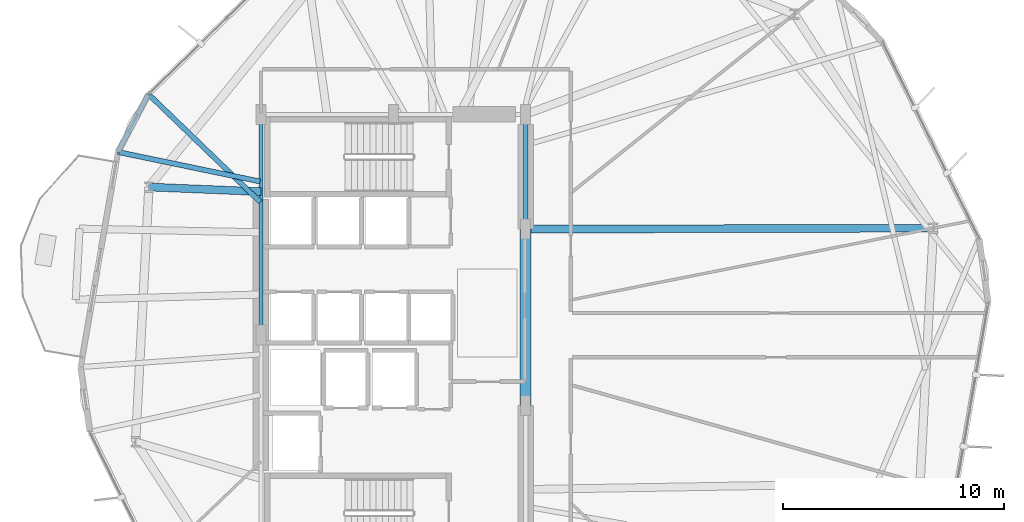
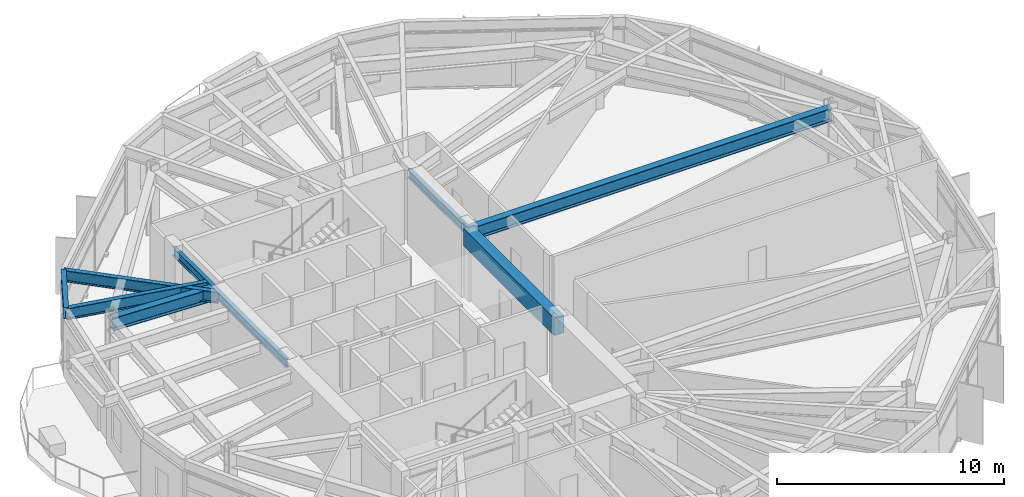
# One storey, part 7 of 22: 8 beams.
"""IFC4 building model written with IfcOpenShell, lengths in metres."""

from ifc_helpers import new_model, si_unit, direction, frame, origin, origin_2d, place, context, subcontext, project, spatial, rectangle, i_section, extrude, material, material_profile, profile_set, type_object, element, save


model = new_model("IFC4")

# Units and contexts
model_context = context("Model", 3, precision=1e-05, world=origin(), true_north=direction((0.0, 1.0)))
body_context = subcontext(model_context, "Body", "Model", "MODEL_VIEW")
ifc_project = project(units=[si_unit("LENGTHUNIT", "METRE"), si_unit("AREAUNIT", "SQUARE_METRE"), si_unit("VOLUMEUNIT", "CUBIC_METRE"), si_unit("PLANEANGLEUNIT", "RADIAN"), si_unit("MASSUNIT", "GRAM", prefix="KILO")], contexts=[model_context])

# Site, building, storey
site_placement = place(None, origin())
site = spatial("IfcSite", under=ifc_project, at=site_placement, CompositionType="ELEMENT")
building_placement = place(site_placement, origin())
building = spatial("IfcBuilding", under=site, at=building_placement, Name="Soratama Intermodal Tower", CompositionType="ELEMENT")
storey_placement = place(building_placement, frame((0.0, 0.0, 58.60009765625)))
storey = spatial("IfcBuildingStorey", under=building, at=storey_placement, Name="L13", CompositionType="ELEMENT", Elevation=58.60009765625)

# Beams
ifc_material_1 = material(Name="Concrete f'c 56 MPa", Category="concrete")
ifc_material_profile_1 = material_profile(ifc_material_1, rectangle(XDim=0.5, YDim=0.949951171875, at=origin_2d()), Name="RC500X950")
ifc_profile_set_1 = profile_set([ifc_material_profile_1], Name="Concrete f'c 56 MPa")
beam_type_1 = type_object("IfcBeamType", Name="BM-CPL-RC500X950", PredefinedType="BEAM", material=ifc_profile_set_1)
beam_1_placement = place(storey_placement, frame((44.60009765625, 21.800048828125, 3.224853515625), z_axis=(0.0, 1.0, 0.0), x_axis=(-1.0, 0.0, 0.0)))
element("IfcBeam", 1, at=beam_1_placement, inside=storey, type_object=beam_type_1, Name="L13 Core Coupling Beam East", PredefinedType="BEAM", context=body_context, shape_type="SweptSolid", body=[
    extrude(rectangle(XDim=0.5, YDim=0.949951171875, at=origin_2d()), origin(), (0.0, 0.0, 1.0), 8.0),
])
ifc_material_2 = material(Name="Structural steel ASTM A992 Grade 50", Category="steel")
ifc_material_profile_2 = material_profile(ifc_material_2, i_section(OverallWidth=0.19091796875, OverallDepth=0.4599609375, WebThickness=0.010009765625, FlangeThickness=0.01611328125, FilletRadius=0.010986328125, at=origin_2d()), Name="W18X55")
ifc_profile_set_2 = profile_set([ifc_material_profile_2], Name="Structural steel ASTM A992 Grade 50")
beam_type_2 = type_object("IfcBeamType", Name="BM-FLR-W18X55", PredefinedType="BEAM", material=ifc_profile_set_2)
beam_2_placement = place(storey_placement, frame((44.60009765625, 29.800048828125, 3.469970703125), z_axis=(0.0, 1.0, 0.0), x_axis=(-1.0, 0.0, 0.0)))
element("IfcBeam", 2, at=beam_2_placement, inside=storey, type_object=beam_type_2, Name="BM-L13-CRING-05", PredefinedType="BEAM", context=body_context, shape_type="SweptSolid", body=[
    extrude(i_section(OverallWidth=0.19091796875, OverallDepth=0.4599609375, WebThickness=0.010009765625, FlangeThickness=0.01611328125, FilletRadius=0.010986328125, at=origin_2d()), origin(), (0.0, 0.0, 1.0), 5.199951171875),
])
beam_3_placement = place(storey_placement, frame((32.60009765625, 35.0, 3.469970703125), z_axis=(0.0, -1.0, 0.0), x_axis=(1.0, 0.0, 0.0)))
element("IfcBeam", 3, at=beam_3_placement, inside=storey, type_object=beam_type_2, Name="BM-L13-CRING-08", PredefinedType="BEAM", context=body_context, shape_type="SweptSolid", body=[
    extrude(i_section(OverallWidth=0.19091796875, OverallDepth=0.4599609375, WebThickness=0.010009765625, FlangeThickness=0.01611328125, FilletRadius=0.010986328125, at=origin_2d()), origin(), (0.0, 0.0, 1.0), 10.0),
])
ifc_material_3 = material(Name="Structural steel ASTM A992 Grade 50", Category="steel")
ifc_material_profile_3 = material_profile(ifc_material_3, i_section(OverallWidth=0.35498046875, OverallDepth=0.695068359375, WebThickness=0.015380859375, FlangeThickness=0.02490234375, FilletRadius=0.01611328125, at=origin_2d()), Name="W27X146")
ifc_profile_set_3 = profile_set([ifc_material_profile_3], Name="Structural steel ASTM A992 Grade 50")
beam_type_3 = type_object("IfcBeamType", Name="BM-RING-W27X146", PredefinedType="BEAM", material=ifc_profile_set_3)
beam_4_placement = place(storey_placement, frame((44.60009765625, 29.800048828125, 3.352294921875), z_axis=(0.999997046146, 0.002430575896, 0.0), x_axis=(-0.002430575896, 0.999997046146, 0.0)))
element("IfcBeam", 4, at=beam_4_placement, inside=storey, type_object=beam_type_3, Name="BM-L13-RAD-01", PredefinedType="BEAM", context=body_context, shape_type="SweptSolid", body=[
    extrude(i_section(OverallWidth=0.35498046875, OverallDepth=0.695068359375, WebThickness=0.015380859375, FlangeThickness=0.02490234375, FilletRadius=0.01611328125, at=origin_2d()), origin(), (0.0, 0.0, 1.0), 18.48193359375),
])
beam_5_placement = place(storey_placement, frame((32.60009765625, 31.5, 3.352294921875), z_axis=(-0.999153929645, 0.041126936131, 0.0), x_axis=(-0.041126936131, -0.999153929645, 0.0)))
element("IfcBeam", 5, at=beam_5_placement, inside=storey, type_object=beam_type_3, Name="BM-L13-RAD-05", PredefinedType="BEAM", context=body_context, shape_type="SweptSolid", body=[
    extrude(i_section(OverallWidth=0.35498046875, OverallDepth=0.695068359375, WebThickness=0.015380859375, FlangeThickness=0.02490234375, FilletRadius=0.01611328125, at=origin_2d()), origin(), (0.0, 0.0, 1.0), 5.08154296875),
])
ifc_material_4 = material(Name="Structural steel ASTM A992 Grade 50", Category="steel")
ifc_material_profile_4 = material_profile(ifc_material_4, i_section(OverallWidth=0.22900390625, OverallDepth=0.612060546875, WebThickness=0.011962890625, FlangeThickness=0.01953125, FilletRadius=0.012939453125, at=origin_2d()), Name="W24X84")
ifc_profile_set_4 = profile_set([ifc_material_profile_4], Name="Structural steel ASTM A992 Grade 50")
beam_type_4 = type_object("IfcBeamType", Name="BM-SPN-W24X84", PredefinedType="SPANDREL", material=ifc_profile_set_4)
beam_6_placement = place(storey_placement, frame((27.5, 35.919921875, 3.393798828125), z_axis=(-0.467214507924, -0.884143994825, 0.0), x_axis=(0.884143994825, -0.467214507924, 0.0)))
element("IfcBeam", 6, at=beam_6_placement, inside=storey, type_object=beam_type_4, Name="BS-L13-CRN04", PredefinedType="SPANDREL", context=body_context, shape_type="SweptSolid", body=[
    extrude(i_section(OverallWidth=0.22900390625, OverallDepth=0.612060546875, WebThickness=0.011962890625, FlangeThickness=0.01953125, FilletRadius=0.012939453125, at=origin_2d()), origin(), (0.0, 0.0, 1.0), 2.966552734375),
])
ifc_material_5 = material(Name="Structural steel ASTM A992 Grade 50", Category="steel")
ifc_material_profile_5 = material_profile(ifc_material_5, i_section(OverallWidth=0.22900390625, OverallDepth=0.612060546875, WebThickness=0.011962890625, FlangeThickness=0.01953125, FilletRadius=0.012939453125, at=origin_2d()), Name="W24X84")
ifc_profile_set_5 = profile_set([ifc_material_profile_5], Name="Structural steel ASTM A992 Grade 50")
beam_type_5 = type_object("IfcBeamType", Name="BM-TIE-W24X84", PredefinedType="BEAM", material=ifc_profile_set_5)
beam_7_placement = place(storey_placement, frame((32.571044921875, 31.029052734375, 3.393798828125), z_axis=(-0.719778123869, 0.694204186388, 0.0), x_axis=(-0.694204186388, -0.719778123869, 0.0)))
element("IfcBeam", 7, at=beam_7_placement, inside=storey, type_object=beam_type_5, Name="BM-L13-TIE1-04", PredefinedType="BEAM", context=body_context, shape_type="SweptSolid", body=[
    extrude(i_section(OverallWidth=0.22900390625, OverallDepth=0.612060546875, WebThickness=0.011962890625, FlangeThickness=0.01953125, FilletRadius=0.012939453125, at=origin_2d()), origin(), (0.0, 0.0, 1.0), 7.04541015625),
])
beam_8_placement = place(storey_placement, frame((32.56103515625, 31.9599609375, 3.393798828125), z_axis=(-0.979161113156, 0.20308499325, 0.0), x_axis=(-0.20308499325, -0.979161113156, 0.0)))
element("IfcBeam", 8, at=beam_8_placement, inside=storey, type_object=beam_type_5, Name="BM-L13-TIE0-05", PredefinedType="BEAM", context=body_context, shape_type="SweptSolid", body=[
    extrude(i_section(OverallWidth=0.22900390625, OverallDepth=0.612060546875, WebThickness=0.011962890625, FlangeThickness=0.01953125, FilletRadius=0.012939453125, at=origin_2d()), origin(), (0.0, 0.0, 1.0), 6.584228515625),
])

save(model, "model.ifc")
